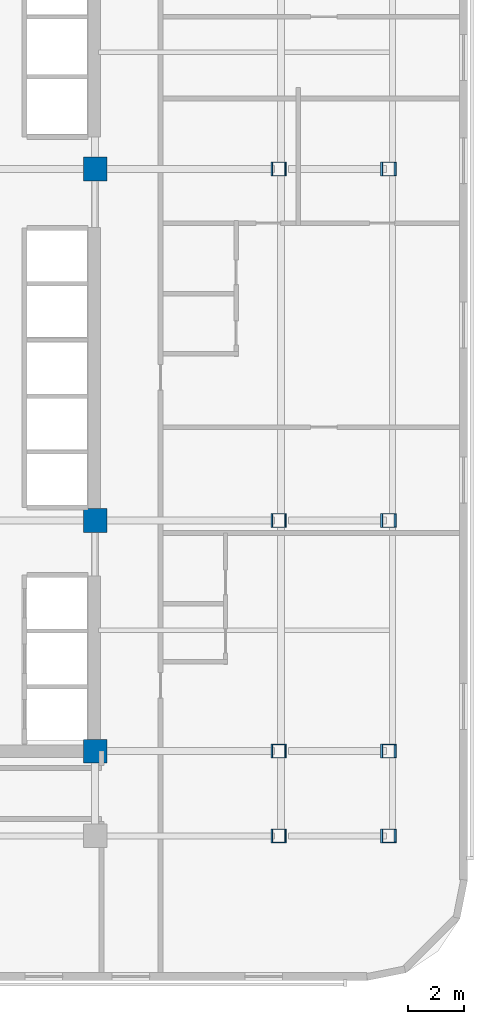
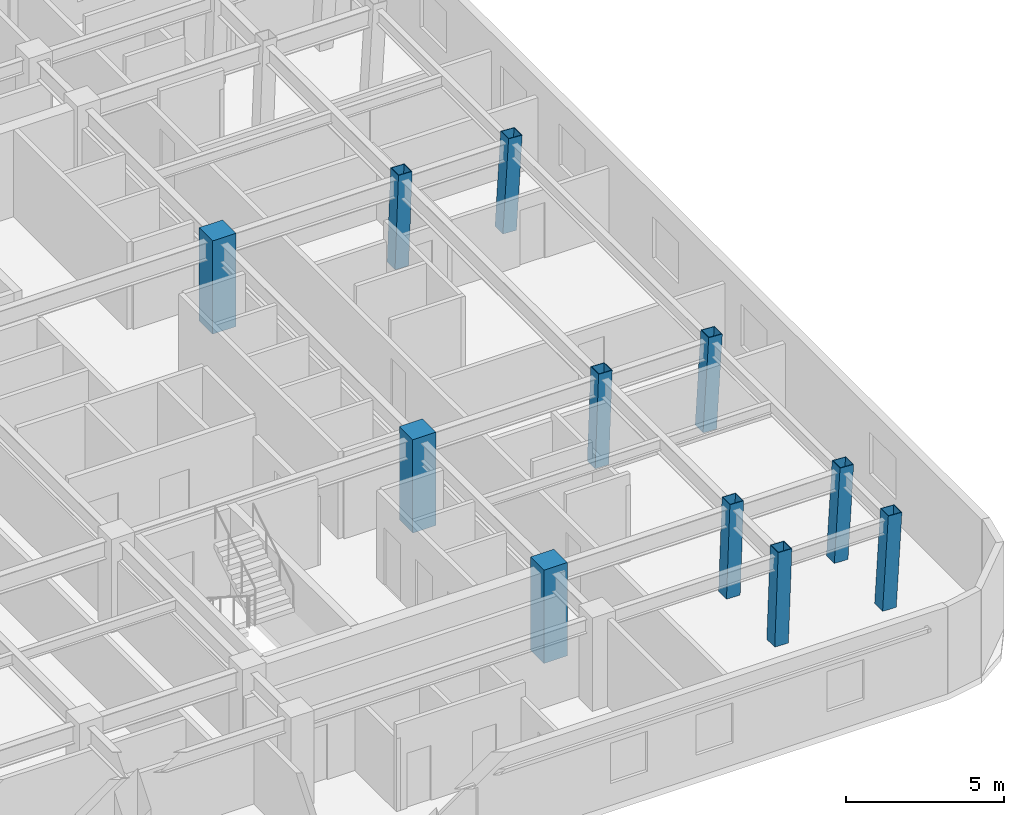
# One storey, part 2 of 14: 11 columns.
"""IFC4 building model written with IfcOpenShell, lengths in metres."""

from ifc_helpers import new_model, si_unit, direction, frame, origin, origin_2d, place, context, subcontext, project, spatial, rectangle, hollow_rectangle, extrude, material, material_profile, profile_set, type_object, element, save


model = new_model("IFC4")

# Units and contexts
model_context = context("Model", 3, precision=1e-05, world=origin(), true_north=direction((0.0, 1.0)))
body_context = subcontext(model_context, "Body", "Model", "MODEL_VIEW")
ifc_project = project(units=[si_unit("LENGTHUNIT", "METRE"), si_unit("AREAUNIT", "SQUARE_METRE"), si_unit("VOLUMEUNIT", "CUBIC_METRE"), si_unit("PLANEANGLEUNIT", "RADIAN"), si_unit("MASSUNIT", "GRAM", prefix="KILO")], contexts=[model_context])

# Site, building, storey
site_placement = place(None, origin())
site = spatial("IfcSite", under=ifc_project, at=site_placement, CompositionType="ELEMENT")
building_placement = place(site_placement, origin())
building = spatial("IfcBuilding", under=site, at=building_placement, Name="Ochreholt Gables", CompositionType="ELEMENT")
storey_placement = place(building_placement, frame((0.0, 0.0, 52.800048828125)))
storey = spatial("IfcBuildingStorey", under=building, at=storey_placement, Name="L13", CompositionType="ELEMENT", Elevation=52.800048828125)

# Columns
ifc_material_1 = material(Name="Steel CSA G40.21 350W", Category="steel")
ifc_material_profile_1 = material_profile(ifc_material_1, hollow_rectangle(XDim=0.5, YDim=0.5, WallThickness=0.02197265625, at=origin_2d()), Name="HSS500X500X22")
ifc_profile_set_1 = profile_set([ifc_material_profile_1], Name="Steel CSA G40.21 350W")
column_type_1 = type_object("IfcColumnType", Name="COL-HSS500-RAK", PredefinedType="COLUMN", material=ifc_profile_set_1)
for number, where, z_axis, x_axis, name in (
    (1, (41.783935546875, 9.25, 0.0), (0.034973505036, 0.0, 0.999388239847), (0.0, 1.0, 0.0), "L13 Column EMY2"),
    (2, (41.783935546875, 17.550048828125, 0.0), (0.034973505036, 0.0, 0.999388239847), (0.0, 1.0, 0.0), "L13 Column EMY3"),
    (3, (41.783935546875, 30.199951171875, 0.0), (0.034973505036, 0.0, 0.999388239847), (0.0, 1.0, 0.0), "L13 Column EMY4"),
):
    element("IfcColumn", number, at=place(storey_placement, frame(where, z_axis=z_axis, x_axis=x_axis)), inside=storey, type_object=column_type_1, Name=name, PredefinedType="COLUMN", context=body_context, shape_type="SweptSolid", body=[
        extrude(hollow_rectangle(XDim=0.5, YDim=0.5, WallThickness=0.02197265625, at=origin_2d()), origin(), (0.0, 0.0, 1.0), 3.60205078125),
    ])
ifc_material_profile_2 = material_profile(ifc_material_1, hollow_rectangle(XDim=0.5, YDim=0.5, WallThickness=0.02197265625, at=origin_2d()), Name="HSS500X500X22")
ifc_profile_set_2 = profile_set([ifc_material_profile_2], Name="Steel CSA G40.21 350W")
column_type_2 = type_object("IfcColumnType", Name="COL-HSS500-RAKE", PredefinedType="COLUMN", material=ifc_profile_set_2)
column_placement = place(storey_placement, frame((41.783935546875, 6.199951171875, 0.0), z_axis=(0.034973505036, 0.0, 0.999388239847), x_axis=(0.0, 1.0, 0.0)))
element("IfcColumn", 4, at=column_placement, inside=storey, type_object=column_type_2, Name="L13 Column EMY1", PredefinedType="COLUMN", context=body_context, shape_type="SweptSolid", body=[
    extrude(hollow_rectangle(XDim=0.5, YDim=0.5, WallThickness=0.02197265625, at=origin_2d()), origin(), (0.0, 0.0, 1.0), 3.60205078125),
])
for number, where, z_axis, x_axis, name in (
    (5, (45.71923828125, 6.199951171875, 0.0), (0.057888518877, 0.0, 0.998323053617), (0.0, 1.0, 0.0), "L13 Column EEY1"),
    (6, (45.71923828125, 9.25, 0.0), (0.057888518877, 0.0, 0.998323053617), (0.0, 1.0, 0.0), "L13 Column EEY2"),
    (7, (45.71923828125, 17.550048828125, 0.0), (0.057888518877, 0.0, 0.998323053617), (0.0, 1.0, 0.0), "L13 Column EEY3"),
    (8, (45.71923828125, 30.199951171875, 0.0), (0.057888518877, 0.0, 0.998323053617), (0.0, 1.0, 0.0), "L13 Column EEY4"),
):
    element("IfcColumn", number, at=place(storey_placement, frame(where, z_axis=z_axis, x_axis=x_axis)), inside=storey, type_object=column_type_2, Name=name, PredefinedType="COLUMN", context=body_context, shape_type="SweptSolid", body=[
        extrude(hollow_rectangle(XDim=0.5, YDim=0.5, WallThickness=0.02197265625, at=origin_2d()), origin(), (0.0, 0.0, 1.0), 3.60595703125),
    ])
ifc_material_2 = material(Name="Concrete 60 MPa", Category="concrete")
ifc_material_profile_3 = material_profile(ifc_material_2, rectangle(XDim=0.85009765625, YDim=0.85009765625, at=origin_2d()), Name="RC850X850")
ifc_profile_set_3 = profile_set([ifc_material_profile_3], Name="Concrete 60 MPa")
column_type_3 = type_object("IfcColumnType", Name="COL-RC850-INT", PredefinedType="COLUMN", material=ifc_profile_set_3)
for number, where, z_axis, x_axis, name in (
    (9, (35.199951171875, 9.25, 0.0), (0.0, 0.0, 1.0), (1.0, 0.0, 0.0), "L13 Column C2Y2"),
    (10, (35.199951171875, 17.550048828125, 0.0), (0.0, 0.0, 1.0), (1.0, 0.0, 0.0), "L13 Column C2Y3"),
    (11, (35.199951171875, 30.199951171875, 0.0), (0.0, 0.0, 1.0), (1.0, 0.0, 0.0), "L13 Column C2Y4"),
):
    element("IfcColumn", number, at=place(storey_placement, frame(where, z_axis=z_axis, x_axis=x_axis)), inside=storey, type_object=column_type_3, Name=name, PredefinedType="COLUMN", context=body_context, shape_type="SweptSolid", body=[
        extrude(rectangle(XDim=0.85009765625, YDim=0.85009765625, at=origin_2d()), origin(), (0.0, 0.0, 1.0), 3.599853515625),
    ])

save(model, "model.ifc")
